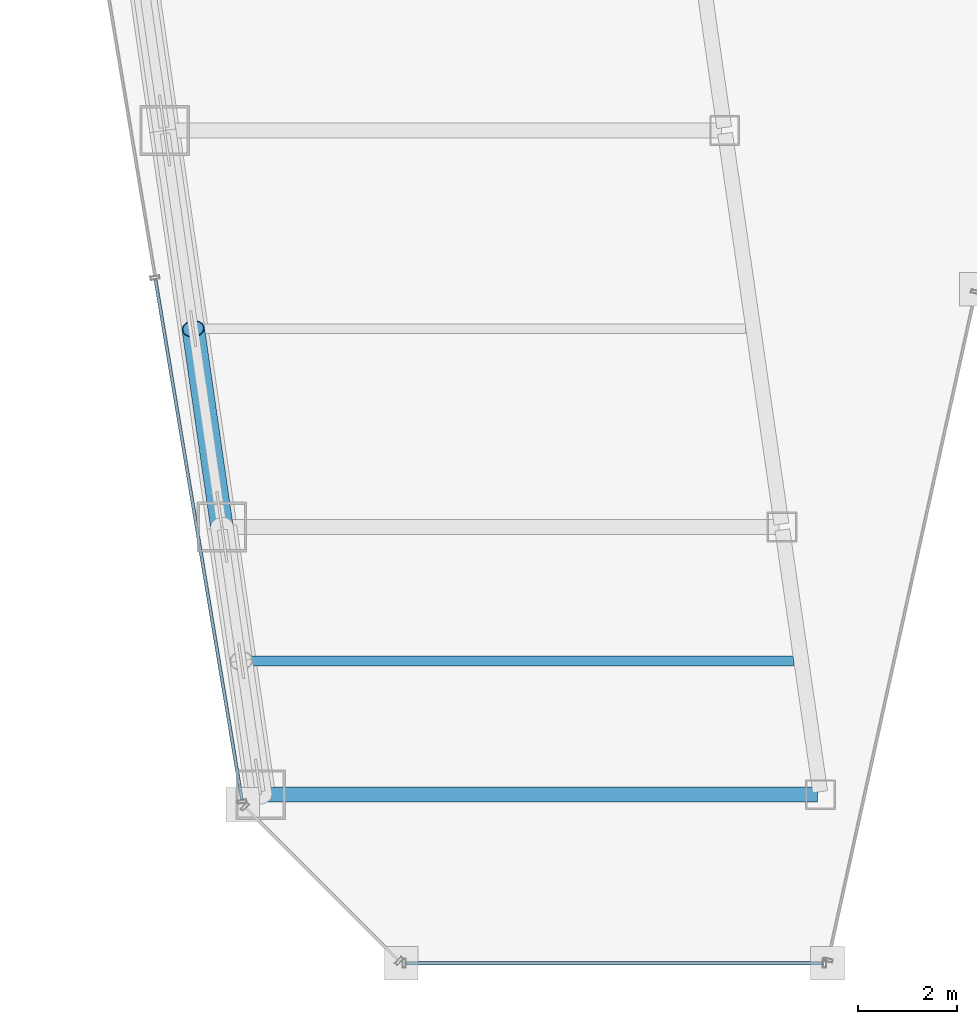
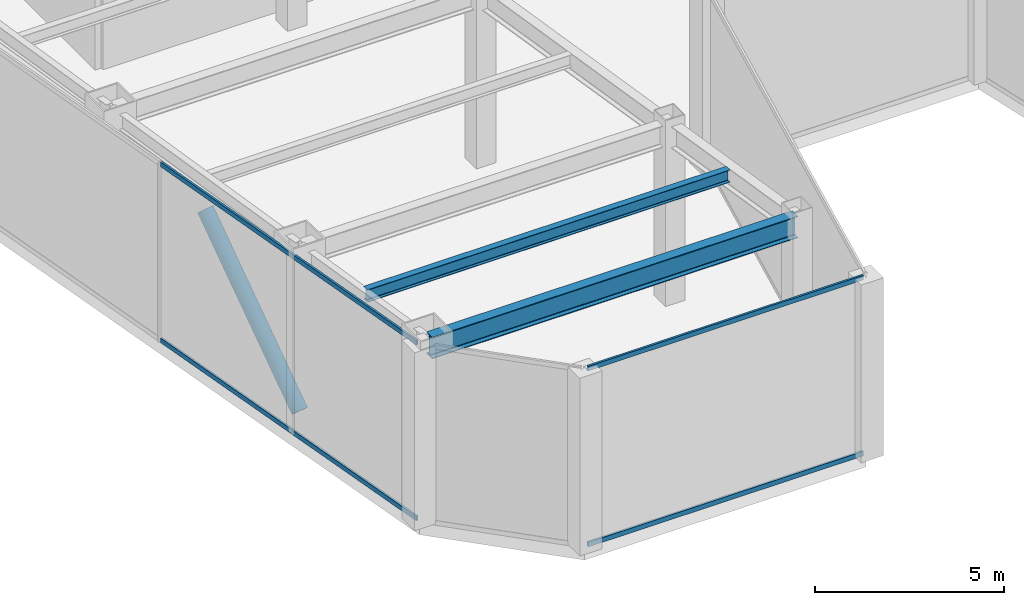
# One storey, part 3 of 30: 5 members, 2 beams, 2 elements without a shape of their own.
"""IFC4 building model written with IfcOpenShell, lengths in metres."""

import ifcopenshell
import ifcopenshell.guid

model = None  # the IFC model being written
_history = None  # IfcOwnerHistory: only IFC2X3 demands one
_inside = {}  # id of a spatial element -> (the spatial element, [elements in it])
_under = {}  # id of a project, library or spatial element -> (it, [spatial elements below it])
_declared = {}  # id of a project -> (the project, [libraries it declares])
_typed = {}  # id of a type object -> (the type object, [elements of that type])
_made_of = {}  # id of a material, layer set ... -> (it, [elements and type objects made of it])


def new_model(schema):
    """Start an empty IFC model of exactly this schema.

    Asked for "IFC4X3", IfcOpenShell would pick the latest addendum, in which some entities
    have other attributes; the version numbers below select the first issue.
    IFC2X3 requires an IfcOwnerHistory on every rooted entity: one is made here for all.
    """
    global model, _history
    if schema == "IFC4X3":
        model = ifcopenshell.file(schema_version=(4, 3, 0, 0))
    else:
        model = ifcopenshell.file(schema=schema)
    _inside.clear()
    _under.clear()
    _declared.clear()
    _typed.clear()
    _made_of.clear()
    _history = None
    if model.schema == "IFC2X3":
        org = make("IfcOrganization", Name="unknown")
        user = make(
            "IfcPersonAndOrganization",
            ThePerson=make("IfcPerson", FamilyName="unknown"),
            TheOrganization=org,
        )
        app = make(
            "IfcApplication",
            ApplicationDeveloper=org,
            Version="unknown",
            ApplicationFullName="unknown",
            ApplicationIdentifier="unknown",
        )
        _history = make(
            "IfcOwnerHistory",
            OwningUser=user,
            OwningApplication=app,
            ChangeAction="ADDED",
            CreationDate=0,
        )
    return model


def make(cls, **values):
    """One entity of the class cls with the attributes given. An attribute that is None is left unset."""
    return model.create_entity(
        cls, **{name: value for name, value in values.items() if value is not None}
    )


def rooted(cls, **values):
    """An entity with a GlobalId (a new one), such as an element, a storey or a relation."""
    return make(cls, GlobalId=ifcopenshell.guid.new(), OwnerHistory=_history, **values)


def si_unit(unit_type, name, prefix=None):
    """IfcSIUnit, for example si_unit("LENGTHUNIT", "METRE", prefix="MILLI")."""
    return make("IfcSIUnit", UnitType=unit_type, Prefix=prefix, Name=name)


def assignment(units):
    """IfcUnitAssignment: the units of a project."""
    return None if units is None else make("IfcUnitAssignment", Units=units)


def point(xyz):
    """IfcCartesianPoint."""
    return None if xyz is None else make("IfcCartesianPoint", Coordinates=xyz)


def direction(xyz):
    """IfcDirection."""
    return None if xyz is None else make("IfcDirection", DirectionRatios=xyz)


def frame(location, z_axis=None, x_axis=None):
    """IfcAxis2Placement3D, a coordinate frame: its origin and axes. An axis left out is left unset."""
    return make(
        "IfcAxis2Placement3D",
        Location=point(location),
        Axis=direction(z_axis),
        RefDirection=direction(x_axis),
    )


def frame_2d(location, x_axis=None):
    """IfcAxis2Placement2D, a coordinate frame in the plane: its origin and x axis."""
    return make(
        "IfcAxis2Placement2D", Location=point(location), RefDirection=direction(x_axis)
    )


def origin():
    """The frame at (0, 0, 0) with its axes left unset."""
    return frame((0.0, 0.0, 0.0))


def origin_2d():
    """The frame at (0, 0) in the plane with its x axis left unset."""
    return frame_2d((0.0, 0.0))


def place(relative_to, where):
    """IfcLocalPlacement: puts the frame where relative to a parent placement (None: the world)."""
    return make(
        "IfcLocalPlacement", PlacementRelTo=relative_to, RelativePlacement=where
    )


def context(
    kind, dimensions, precision=None, world=None, true_north=None, identifier=None
):
    """IfcGeometricRepresentationContext, for example the 3D "Model" context."""
    return make(
        "IfcGeometricRepresentationContext",
        ContextIdentifier=identifier,
        ContextType=kind,
        CoordinateSpaceDimension=dimensions,
        Precision=precision,
        WorldCoordinateSystem=world,
        TrueNorth=true_north,
    )


def subcontext(parent, identifier, kind, view, scale=None):
    """IfcGeometricRepresentationSubContext, for example "Body" below "Model"."""
    return make(
        "IfcGeometricRepresentationSubContext",
        ContextIdentifier=identifier,
        ContextType=kind,
        ParentContext=parent,
        TargetScale=scale,
        TargetView=view,
    )


def project(units=None, contexts=None):
    """IfcProject with its units and contexts."""
    return rooted(
        "IfcProject",
        Name="project",
        RepresentationContexts=contexts,
        UnitsInContext=assignment(units),
    )


def spatial(cls, under=None, at=None, **own):
    """A site, building, storey or space (cls), placed at a placement, below another one or the project."""
    s = rooted(cls, ObjectPlacement=at, **own)
    if under is not None:
        _under.setdefault(under.id(), (under, []))[1].append(s)
    return s


def profile(cls, at=None, kind="AREA", **sizes):
    """A parametric profile (cls). Its sizes go by their IFC names, for example OverallWidth=200.0."""
    return make(cls, ProfileType=kind, Position=at, **sizes)


def hollow_rectangle(**sizes):
    """IfcRectangleHollowProfileDef."""
    return profile("IfcRectangleHollowProfileDef", **sizes)


def hollow_circle(**sizes):
    """IfcCircleHollowProfileDef."""
    return profile("IfcCircleHollowProfileDef", **sizes)


def i_section(**sizes):
    """IfcIShapeProfileDef."""
    return profile("IfcIShapeProfileDef", **sizes)


def extrude(swept, where, along, depth):
    """IfcExtrudedAreaSolid: the profile swept, set in the frame where, extruded along a direction by depth."""
    return make(
        "IfcExtrudedAreaSolid",
        SweptArea=swept,
        Position=where,
        ExtrudedDirection=direction(along),
        Depth=depth,
    )


def shape(context_of_items, identifier, shape_type, items):
    """IfcShapeRepresentation: the items that make up one representation, for example the "Body"."""
    return make(
        "IfcShapeRepresentation",
        ContextOfItems=context_of_items,
        RepresentationIdentifier=identifier,
        RepresentationType=shape_type,
        Items=items,
    )


def material(Name=None, Category=None):
    """IfcMaterial."""
    return make("IfcMaterial", Name=Name, Category=Category)


def material_profile(
    of_material, cross_section, Name=None, Category=None, Priority=None
):
    """IfcMaterialProfile: a cross section and its material."""
    return make(
        "IfcMaterialProfile",
        Name=Name,
        Material=of_material,
        Profile=cross_section,
        Priority=Priority,
        Category=Category,
    )


def profile_set(profiles, Name=None, composite=None):
    """IfcMaterialProfileSet."""
    return make(
        "IfcMaterialProfileSet",
        Name=Name,
        MaterialProfiles=profiles,
        CompositeProfile=composite,
    )


def made_of(thing, what):
    """Note that an element or type object is made of a material, layer set ...; save() writes the relation."""
    if what is not None:
        _made_of.setdefault(what.id(), (what, []))[1].append(thing)
    return thing


def type_object(cls, material=None, **own):
    """A type object (cls), such as IfcWallType, which elements share."""
    return made_of(rooted(cls, **own), material)


def element(
    cls,
    number,
    at=None,
    inside=None,
    cuts=None,
    type_object=None,
    material=None,
    context=None,
    identifier="Body",
    shape_type=None,
    held_by="IfcProductDefinitionShape",
    body=None,
    shapes=None,
    **own,
):
    """One element of the class cls, such as IfcWall. Its Tag is "e" and its number.

    at: its placement. inside: the storey or other place that contains it. cuts: it is an
    opening in that element (IfcRelVoidsElement). A single representation is given by context,
    identifier, shape_type and body (its items); several are given by shapes. held_by: the class
    of the entity that holds the representations. save() writes the other relations.
    """
    e = rooted(cls, Tag="e%d" % number, ObjectPlacement=at, **own)
    if body is not None:
        shapes = [shape(context, identifier, shape_type, body)]
    if shapes is not None:
        e.Representation = make(held_by, Representations=shapes)
    if inside is not None:
        _inside.setdefault(inside.id(), (inside, []))[1].append(e)
    if cuts is not None:
        rooted(
            "IfcRelVoidsElement", RelatingBuildingElement=cuts, RelatedOpeningElement=e
        )
    if type_object is not None:
        _typed.setdefault(type_object.id(), (type_object, []))[1].append(e)
    return made_of(e, material)


def aggregate(whole, parts):
    """IfcRelAggregates: a whole, such as a stair, and the parts it consists of."""
    return rooted("IfcRelAggregates", RelatingObject=whole, RelatedObjects=parts)


def save(model, path):
    """Write the relations noted so far, then the file.

    IfcRelAggregates (storeys below a building ...), IfcRelContainedInSpatialStructure (elements
    in a storey), IfcRelDefinesByType, IfcRelAssociatesMaterial and IfcRelDeclares: one each for
    every whole, place, type object, material and project.
    """
    for whole, parts in _under.values():
        aggregate(whole, parts)
    for where, things in _inside.values():
        rooted(
            "IfcRelContainedInSpatialStructure",
            RelatedElements=things,
            RelatingStructure=where,
        )
    for kind, things in _typed.values():
        rooted("IfcRelDefinesByType", RelatedObjects=things, RelatingType=kind)
    for what, things in _made_of.values():
        rooted("IfcRelAssociatesMaterial", RelatedObjects=things, RelatingMaterial=what)
    for by, libraries in _declared.values():
        rooted("IfcRelDeclares", RelatingContext=by, RelatedDefinitions=libraries)
    model.write(path)


model = new_model("IFC4")

# Units and contexts
model_context = context("Model", 3, precision=1e-05, world=origin(), true_north=direction((0.0, 1.0)))
body_context = subcontext(model_context, "Body", "Model", "MODEL_VIEW")
ifc_project = project(units=[si_unit("LENGTHUNIT", "METRE"), si_unit("AREAUNIT", "SQUARE_METRE"), si_unit("VOLUMEUNIT", "CUBIC_METRE"), si_unit("PLANEANGLEUNIT", "RADIAN"), si_unit("MASSUNIT", "GRAM", prefix="KILO")], contexts=[model_context])

# Site, building, storey
site_placement = place(None, origin())
site = spatial("IfcSite", under=ifc_project, at=site_placement, CompositionType="ELEMENT")
building_placement = place(site_placement, origin())
building = spatial("IfcBuilding", under=site, at=building_placement, Name="Saevonmaru Cultural Tower", CompositionType="ELEMENT")
storey_placement = place(building_placement, frame((0.0, 0.0, 123.60009765625)))
storey = spatial("IfcBuildingStorey", under=building, at=storey_placement, Name="L26", CompositionType="ELEMENT", Elevation=123.60009765625)

# Beams
ifc_material_1 = material(Name="Steel SM355", Category="steel")
ifc_material_profile_1 = material_profile(ifc_material_1, i_section(OverallWidth=0.300048828125, OverallDepth=0.699951171875, WebThickness=0.012939453125, FlangeThickness=0.02392578125, FilletRadius=0.02587890625, at=origin_2d()), Name="H-700x300x13x24")
ifc_profile_set_1 = profile_set([ifc_material_profile_1], Name="Steel SM355")
beam_type_1 = type_object("IfcBeamType", Name="BM-G-H700", PredefinedType="BEAM", material=ifc_profile_set_1)
beam_1_placement = place(storey_placement, frame((11.468017578125, 10.60009765625, 5.39990234375), z_axis=(1.0, 0.0, 0.0), x_axis=(0.0, 1.0, 0.0)))
element("IfcBeam", 1, at=beam_1_placement, inside=storey, type_object=beam_type_1, Name="L26 West Wing Transverse Girder 1", PredefinedType="BEAM", context=body_context, shape_type="SweptSolid", body=[
    extrude(i_section(OverallWidth=0.300048828125, OverallDepth=0.699951171875, WebThickness=0.012939453125, FlangeThickness=0.02392578125, FilletRadius=0.02587890625, at=origin_2d()), origin(), (0.0, 0.0, 1.0), 11.179931640625),
])
ifc_material_profile_2 = material_profile(ifc_material_1, i_section(OverallWidth=0.199951171875, OverallDepth=0.39990234375, WebThickness=0.008056640625, FlangeThickness=0.012939453125, FilletRadius=0.01611328125, at=origin_2d()), Name="H-400x200x8x13")
ifc_profile_set_2 = profile_set([ifc_material_profile_2], Name="Steel SM355")
beam_type_2 = type_object("IfcBeamType", Name="BM-J-H400", PredefinedType="JOIST", material=ifc_profile_set_2)
beam_2_placement = place(storey_placement, frame((11.077880859375, 13.300048828125, 5.5498046875), z_axis=(1.0, 0.0, 0.0), x_axis=(0.0, 1.0, 0.0)))
element("IfcBeam", 2, at=beam_2_placement, inside=storey, type_object=beam_type_2, Name="L26 West Wing Floor Joist 1", PredefinedType="JOIST", context=body_context, shape_type="SweptSolid", body=[
    extrude(i_section(OverallWidth=0.199951171875, OverallDepth=0.39990234375, WebThickness=0.008056640625, FlangeThickness=0.012939453125, FilletRadius=0.01611328125, at=origin_2d()), origin(), (0.0, 0.0, 1.0), 11.08203125),
])

# Member
ifc_material_2 = material(Name="Steel SM420", Category="steel")
ifc_material_profile_3 = material_profile(ifc_material_2, hollow_circle(Radius=0.228515625, WallThickness=0.02001953125, at=origin_2d()), Name="CHS-457.2x20")
ifc_profile_set_3 = profile_set([ifc_material_profile_3], Name="Steel SM420")
member_type_1 = type_object("IfcMemberType", Name="MB-BBR-CHS457", PredefinedType="BRACE", material=ifc_profile_set_3)
member_1_placement = place(storey_placement, frame((10.6279296875, 16.0, 0.2998046875), z_axis=(-0.097925703309, 0.677826245462, 0.728671488117), x_axis=(-0.989724747682, -0.142985746934, 0.0)))
element("IfcMember", 3, at=member_1_placement, inside=storey, type_object=member_type_1, Name="L26 Belt Truss Diagonal BW2-1", PredefinedType="BRACE", context=body_context, shape_type="SweptSolid", body=[
    extrude(hollow_circle(Radius=0.228515625, WallThickness=0.02001953125, at=origin_2d()), origin(), (0.0, 0.0, 1.0), 5.901123046875),
])

# Curtain wall, members
ifc_material_3 = material(Name="Satin Bronze Anodised Aluminium", Category="aluminium")
curtain_wall_type = type_object("IfcCurtainWallType", Name="CW-TYP-A", PredefinedType="NOTDEFINED", material=ifc_material_3)
curtain_wall_1_placement = place(storey_placement, origin())
curtain_wall_1 = element("IfcCurtainWall", 4, at=curtain_wall_1_placement, inside=storey, type_object=curtain_wall_type, Name="L26 Wind-Floor Acoustic Louvre Screen E2", PredefinedType="NOTDEFINED")
ifc_material_profile_4 = material_profile(ifc_material_3, hollow_rectangle(XDim=0.06494140625, YDim=0.14990234375, WallThickness=0.00390625, at=origin_2d()), Name="ALU-TRAN-150x65x4")
ifc_profile_set_4 = profile_set([ifc_material_profile_4], Name="Satin Bronze Anodised Aluminium")
member_type_2 = type_object("IfcMemberType", Name="TR-CW-150x65", PredefinedType="USERDEFINED", material=ifc_profile_set_4)
member_2_placement = place(storey_placement, frame((14.34130859375, 7.199951171875, 0.032470703125), z_axis=(1.0, 0.0, 0.0), x_axis=(0.0, 1.0, 0.0)))
member_2 = element("IfcMember", 5, at=member_2_placement, type_object=member_type_2, Name="CW-TW-L26-E2 transom 1.1", ObjectType="TRANSOM", PredefinedType="USERDEFINED", context=body_context, shape_type="SweptSolid", body=[
    extrude(hollow_rectangle(XDim=0.06494140625, YDim=0.14990234375, WallThickness=0.00390625, at=origin_2d()), origin(), (0.0, 0.0, 1.0), 8.4150390625),
])
member_3_placement = place(storey_placement, frame((14.34130859375, 7.199951171875, 5.71728515625), z_axis=(1.0, 0.0, 0.0), x_axis=(0.0, 1.0, 0.0)))
member_3 = element("IfcMember", 6, at=member_3_placement, type_object=member_type_2, Name="CW-TW-L26-E2 transom 1.2", ObjectType="TRANSOM", PredefinedType="USERDEFINED", context=body_context, shape_type="SweptSolid", body=[
    extrude(hollow_rectangle(XDim=0.06494140625, YDim=0.14990234375, WallThickness=0.00390625, at=origin_2d()), origin(), (0.0, 0.0, 1.0), 8.4150390625),
])
aggregate(curtain_wall_1, [member_2, member_3])

curtain_wall_2_placement = place(storey_placement, origin())
curtain_wall_2 = element("IfcCurtainWall", 7, at=curtain_wall_2_placement, inside=storey, type_object=curtain_wall_type, Name="L26 Wind-Floor Acoustic Louvre Screen E12", PredefinedType="NOTDEFINED")
member_4_placement = place(storey_placement, frame((9.287109375, 20.99755859375, 0.032470703125), z_axis=(0.163990079074, -0.9864619881, 0.0), x_axis=(0.9864619881, 0.163990079074, 0.0)))
member_4 = element("IfcMember", 8, at=member_4_placement, type_object=member_type_2, Name="CW-TW-L26-E12 transom 4.1", ObjectType="TRANSOM", PredefinedType="USERDEFINED", context=body_context, shape_type="SweptSolid", body=[
    extrude(hollow_rectangle(XDim=0.06494140625, YDim=0.14990234375, WallThickness=0.00390625, at=origin_2d()), origin(), (0.0, 0.0, 1.0), 10.650634765625),
])
member_5_placement = place(storey_placement, frame((9.287109375, 20.99755859375, 5.71728515625), z_axis=(0.163990079074, -0.9864619881, 0.0), x_axis=(0.9864619881, 0.163990079074, 0.0)))
member_5 = element("IfcMember", 9, at=member_5_placement, type_object=member_type_2, Name="CW-TW-L26-E12 transom 4.2", ObjectType="TRANSOM", PredefinedType="USERDEFINED", context=body_context, shape_type="SweptSolid", body=[
    extrude(hollow_rectangle(XDim=0.06494140625, YDim=0.14990234375, WallThickness=0.00390625, at=origin_2d()), origin(), (0.0, 0.0, 1.0), 10.650634765625),
])
aggregate(curtain_wall_2, [member_4, member_5])

save(model, "model.ifc")
